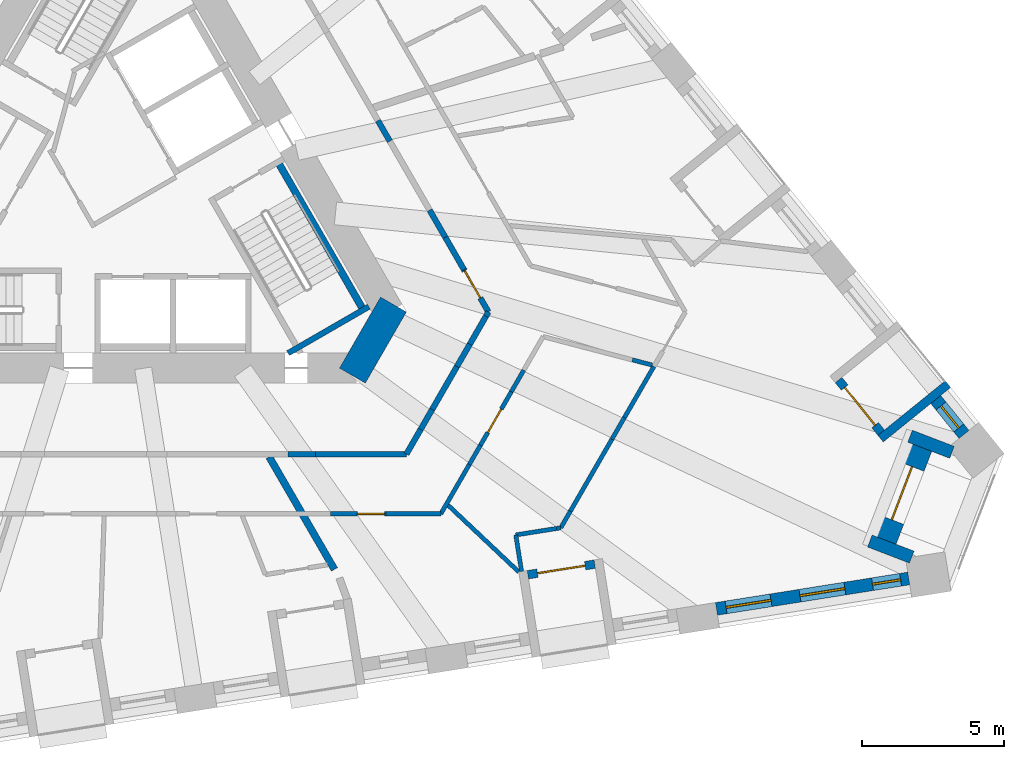
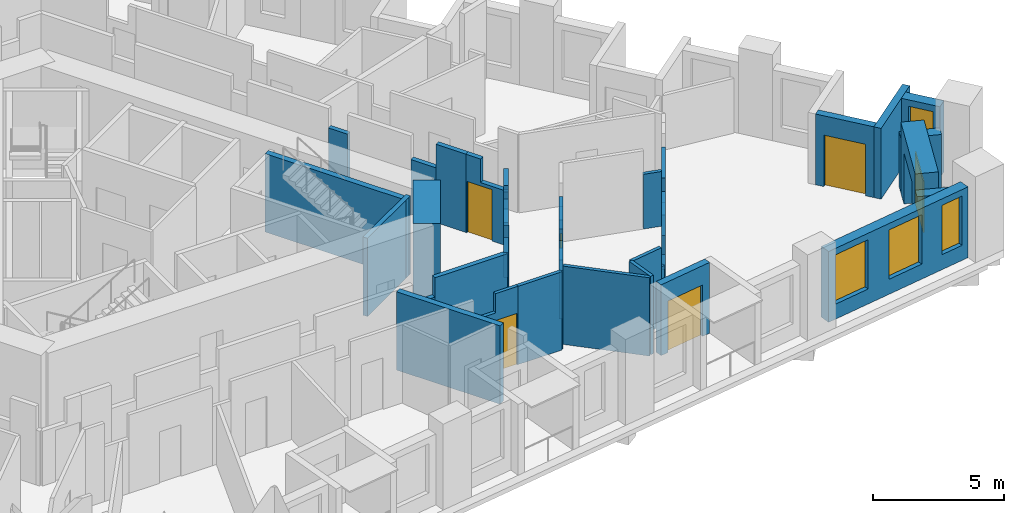
# One storey, part 6 of 14: 39 walls, 6 doors, 4 windows, 10 openings.
"""IFC4 building model written with IfcOpenShell, lengths in metres."""

from ifc_helpers import new_model, si_unit, direction, frame, frame_2d, origin, place, context, subcontext, project, spatial, polyline, rectangle, outline, extrude, material, layer, layer_set, type_object, element, fill, save


model = new_model("IFC4")

# Units and contexts
model_context = context("Model", 3, precision=1e-05, world=origin(), true_north=direction((0.0, 1.0)))
body_context = subcontext(model_context, "Body", "Model", "MODEL_VIEW")
ifc_project = project(units=[si_unit("LENGTHUNIT", "METRE"), si_unit("AREAUNIT", "SQUARE_METRE"), si_unit("VOLUMEUNIT", "CUBIC_METRE"), si_unit("PLANEANGLEUNIT", "RADIAN"), si_unit("MASSUNIT", "GRAM", prefix="KILO")], contexts=[model_context])

# Site, building, storey
site_placement = place(None, origin())
site = spatial("IfcSite", under=ifc_project, at=site_placement, CompositionType="ELEMENT")
building_placement = place(site_placement, origin())
building = spatial("IfcBuilding", under=site, at=building_placement, Name="Tramontana Tower", CompositionType="ELEMENT")
storey_placement = place(building_placement, frame((0.0, 0.0, 75.199951171875)))
storey = spatial("IfcBuildingStorey", under=building, at=storey_placement, Name="L16", CompositionType="ELEMENT", Elevation=75.199951171875)

# Walls
ifc_material_1 = material(Name="Concrete 70 MPa", Category="concrete")
ifc_layer_1 = layer(ifc_material_1, 1.050048828125)
ifc_layer_set_1 = layer_set([ifc_layer_1], Name="Core wall 1050 70 MPa")
wall_type_1 = type_object("IfcWallType", Name="Core wall 1050 70 MPa", PredefinedType="SHEAR", material=ifc_layer_set_1)
wall_1_placement = place(storey_placement, frame((8.349853515625, -6.487548828125, 0.0), z_axis=(0.0, 0.0, 1.0), x_axis=(0.499995765644, 0.866027848477, 0.0)))
element("IfcWall", 1, at=wall_1_placement, inside=storey, type_object=wall_type_1, Name="Core wall C4 L16", PredefinedType="SHEAR", context=body_context, shape_type="SweptSolid", body=[
    extrude(rectangle(XDim=2.88671875, YDim=1.050048828125, at=frame_2d((1.443359375, 0.0))), origin(), (0.0, 0.0, 1.0), 4.0),
])
ifc_material_2 = material(Name="Blockwork", Category="masonry")
ifc_layer_2 = layer(ifc_material_2, 0.199951171875)
ifc_layer_set_2 = layer_set([ifc_layer_2], Name="ENTRY WALL 200")
wall_type_2 = type_object("IfcWallType", Name="ENTRY WALL 200", PredefinedType="SOLIDWALL", material=ifc_layer_set_2)
wall_2_placement = place(storey_placement, frame((9.248046875, 2.48193359375, 0.0), z_axis=(0.0, 0.0, 1.0), x_axis=(0.500117447933, -0.865957584569, 0.0)))
element("IfcWall", 2, at=wall_2_placement, inside=storey, type_object=wall_type_2, Name="Wall v12-ew0-5", PredefinedType="SOLIDWALL", context=body_context, shape_type="SweptSolid", body=[
    extrude(rectangle(XDim=0.838134765625, YDim=0.199951171875, at=frame_2d((0.4189453125, 0.0))), origin(), (0.0, 0.0, 1.0), 2.75),
])
wall_3_placement = place(storey_placement, frame((11.06396484375, -0.663330078125, 0.0), z_axis=(0.0, 0.0, 1.0), x_axis=(0.499951133605, -0.866053614973, 0.0)))
element("IfcWall", 3, at=wall_3_placement, inside=storey, type_object=wall_type_2, Name="Wall v12-ew0-7", PredefinedType="SOLIDWALL", context=body_context, shape_type="SweptSolid", body=[
    extrude(rectangle(XDim=1.10888671875, YDim=0.199951171875, at=frame_2d((0.554443359375, 0.0))), origin(), (0.0, 0.0, 1.0), 2.550048828125),
])
wall_4_placement = place(storey_placement, frame((11.618408203125, -1.623779296875, 0.0), z_axis=(0.0, 0.0, 1.0), x_axis=(0.500060622324, -0.86599040064, 0.0)))
element("IfcWall", 4, at=wall_4_placement, inside=storey, type_object=wall_type_2, Name="Wall v12-ew0-8", PredefinedType="SOLIDWALL", context=body_context, shape_type="SweptSolid", body=[
    extrude(rectangle(XDim=1.312255859375, YDim=0.199951171875, at=frame_2d((0.65625, 0.0))), origin(), (0.0, 0.0, 1.0), 3.650146484375),
])

# Wall, opening, door
wall_5_placement = place(storey_placement, frame((12.274658203125, -2.76025390625, 0.0), z_axis=(0.0, 0.0, 1.0), x_axis=(0.500000921525, -0.866024871741, 0.0)))
wall_5 = element("IfcWall", 5, at=wall_5_placement, inside=storey, type_object=wall_type_2, Name="Wall v12-ew0-9", PredefinedType="SOLIDWALL", context=body_context, shape_type="SweptSolid", body=[
    extrude(outline(polyline([(0.0, 0.0), (1.72021484375, 0.0), (1.72021484375, 2.550048828125), (0.64990234375, 2.550048828125), (0.64990234375, 3.650146484375), (0.0, 3.650146484375), (0.0, 0.0)])), frame((0.0, 0.10009765625, 0.0), z_axis=(0.0, -1.0, 0.0), x_axis=(1.0, 0.0, 0.0)), (0.0, 0.0, 1.0), 0.199951171875),
])
opening_1_placement = place(wall_5_placement, frame((0.050048828125, 0.0, 0.0)))
opening_1 = element("IfcOpeningElement", 6, at=opening_1_placement, cuts=wall_5, Name="Opening B1C-26", PredefinedType="OPENING", context=body_context, shape_type="SweptSolid", body=[
    extrude(rectangle(XDim=1.10009765625, YDim=2.39990234375, at=frame_2d((0.550048828125, 1.199951171875))), frame((0.0, 0.10986328125, 0.0), z_axis=(0.0, -1.0, 0.0), x_axis=(1.0, 0.0, 0.0)), (0.0, 0.0, 1.0), 0.219970703125),
])
ifc_material_3 = material(Name="Painted timber", Category="wood")
door_type_1 = type_object("IfcDoorType", Name="DOOR ENTRY 1100", OperationType="SINGLE_SWING_LEFT", PredefinedType="DOOR", material=ifc_material_3)
door_1_placement = place(opening_1_placement, origin())
door_1 = element("IfcDoor", 7, at=door_1_placement, inside=storey, type_object=door_type_1, Name="Door B1C-26", OperationType="SINGLE_SWING_RIGHT", OverallHeight=2.39990234375, OverallWidth=1.10009765625, PredefinedType="DOOR", context=body_context, shape_type="SweptSolid", body=[
    extrude(rectangle(XDim=1.10009765625, YDim=2.39990234375, at=frame_2d((0.550048828125, 1.199951171875))), frame((0.0, 0.02490234375, 0.0), z_axis=(0.0, -1.0, 0.0), x_axis=(1.0, 0.0, 0.0)), (0.0, 0.0, 1.0), 0.050048828125),
])
fill(opening_1, door_1)

# Walls
wall_6_placement = place(storey_placement, frame((13.134765625, -4.25, 0.0), z_axis=(0.0, 0.0, 1.0), x_axis=(-0.500586455622, -0.865686548612, 0.0)))
element("IfcWall", 8, at=wall_6_placement, inside=storey, type_object=wall_type_2, Name="Wall v12-ew1-0", PredefinedType="SOLIDWALL", context=body_context, shape_type="SweptSolid", body=[
    extrude(rectangle(XDim=0.171142578125, YDim=0.199951171875, at=frame_2d((0.08544921875, 0.0))), origin(), (0.0, 0.0, 1.0), 2.550048828125),
])
wall_7_placement = place(storey_placement, frame((13.049072265625, -4.398193359375, 0.0), z_axis=(0.0, 0.0, 1.0), x_axis=(-0.499889102667, -0.866089420923, 0.0)))
element("IfcWall", 9, at=wall_7_placement, inside=storey, type_object=wall_type_2, Name="Wall v12-ew1-1", PredefinedType="SOLIDWALL", context=body_context, shape_type="SweptSolid", body=[
    extrude(rectangle(XDim=1.141357421875, YDim=0.199951171875, at=frame_2d((0.57080078125, 0.0))), origin(), (0.0, 0.0, 1.0), 3.650146484375),
])
wall_8_placement = place(storey_placement, frame((12.478515625, -5.38671875, 0.0), z_axis=(0.0, 0.0, 1.0), x_axis=(-0.500151474942, -0.865937932021, 0.0)))
element("IfcWall", 10, at=wall_8_placement, inside=storey, type_object=wall_type_2, Name="Wall v12-ew1-2", PredefinedType="SOLIDWALL", context=body_context, shape_type="SweptSolid", body=[
    extrude(rectangle(XDim=0.903076171875, YDim=0.199951171875, at=frame_2d((0.45166015625, 0.0))), origin(), (0.0, 0.0, 1.0), 2.550048828125),
])
wall_9_placement = place(storey_placement, frame((12.02685546875, -6.168701171875, 0.0), z_axis=(0.0, 0.0, 1.0), x_axis=(-0.499900037626, -0.866083109396, 0.0)))
element("IfcWall", 11, at=wall_9_placement, inside=storey, type_object=wall_type_2, Name="Wall v12-ew1-3", PredefinedType="SOLIDWALL", context=body_context, shape_type="SweptSolid", body=[
    extrude(rectangle(XDim=1.745361328125, YDim=0.199951171875, at=frame_2d((0.87255859375, 0.0))), origin(), (0.0, 0.0, 1.0), 3.650146484375),
])
wall_10_placement = place(storey_placement, frame((11.154296875, -7.680419921875, 0.0), z_axis=(0.0, 0.0, 1.0), x_axis=(-0.500151261923, -0.865938055058, 0.0)))
element("IfcWall", 12, at=wall_10_placement, inside=storey, type_object=wall_type_2, Name="Wall v12-ew1-4", PredefinedType="SOLIDWALL", context=body_context, shape_type="SweptSolid", body=[
    extrude(rectangle(XDim=0.804931640625, YDim=0.199951171875, at=frame_2d((0.40234375, 0.0))), origin(), (0.0, 0.0, 1.0), 2.75),
])
wall_11_placement = place(storey_placement, frame((10.751708984375, -8.37744140625, 0.0), z_axis=(0.0, 0.0, 1.0), x_axis=(-0.499918237861, -0.866072604031, 0.0)))
element("IfcWall", 13, at=wall_11_placement, inside=storey, type_object=wall_type_2, Name="Wall v12-ew1-5", PredefinedType="SOLIDWALL", context=body_context, shape_type="SweptSolid", body=[
    extrude(rectangle(XDim=1.007568359375, YDim=0.199951171875, at=frame_2d((0.50390625, 0.0))), origin(), (0.0, 0.0, 1.0), 3.650146484375),
])
wall_12_placement = place(storey_placement, frame((10.248046875, -9.25, 0.0), z_axis=(0.0, 0.0, 1.0), x_axis=(-1.0, 0.0, 0.0)))
element("IfcWall", 14, at=wall_12_placement, inside=storey, type_object=wall_type_2, Name="Wall v12-ew2-0", PredefinedType="SOLIDWALL", context=body_context, shape_type="SweptSolid", body=[
    extrude(rectangle(XDim=3.190673828125, YDim=0.199951171875, at=frame_2d((1.59521484375, 0.0))), origin(), (0.0, 0.0, 1.0), 3.650146484375),
])
wall_13_placement = place(storey_placement, frame((7.057373046875, -9.25, 0.0), z_axis=(0.0, 0.0, 1.0), x_axis=(-1.0, 0.0, 0.0)))
element("IfcWall", 15, at=wall_13_placement, inside=storey, type_object=wall_type_2, Name="Wall v12-ew2-1", PredefinedType="SOLIDWALL", context=body_context, shape_type="SweptSolid", body=[
    extrude(rectangle(XDim=0.981201171875, YDim=0.199951171875, at=frame_2d((0.49072265625, 0.0))), origin(), (0.0, 0.0, 1.0), 2.75),
])

# Wall, openings, windows
ifc_material_4 = material(Name="Precast concrete 60 MPa", Category="concrete")
ifc_layer_3 = layer(ifc_material_4, 0.449951171875)
ifc_layer_set_3 = layer_set([ifc_layer_3], Name="Precast concrete 60 MPa, 450 mm")
wall_type_3 = type_object("IfcWallType", Name="EW1 Stone-faced precast wall 450", PredefinedType="SOLIDWALL", material=ifc_layer_set_3)
wall_14_placement = place(storey_placement, frame((21.1572265625, -14.6962890625, 0.0), z_axis=(0.0, 0.0, 1.0), x_axis=(0.987685675151, 0.156451293065, 0.0)))
wall_14 = element("IfcWall", 16, at=wall_14_placement, inside=storey, type_object=wall_type_3, Name="External wall L16 face 1 bay 6", PredefinedType="SOLIDWALL", context=body_context, shape_type="SweptSolid", body=[
    extrude(rectangle(XDim=6.848876953125, YDim=0.449951171875, at=frame_2d((3.42431640625, 0.0))), origin(), (0.0, 0.0, 1.0), 3.300048828125),
])
opening_2_placement = place(wall_14_placement, frame((0.341552734375, 0.0, 0.699951171875)))
opening_2 = element("IfcOpeningElement", 17, at=opening_2_placement, cuts=wall_14, Name="Opening M1", PredefinedType="OPENING", context=body_context, shape_type="SweptSolid", body=[
    extrude(rectangle(XDim=1.60009765625, YDim=2.300048828125, at=frame_2d((0.800048828125, 1.14990234375))), frame((0.0, 0.23486328125, 0.0), z_axis=(0.0, -1.0, 0.0), x_axis=(1.0, 0.0, 0.0)), (0.0, 0.0, 1.0), 0.469970703125),
])
opening_3_placement = place(wall_14_placement, frame((2.974365234375, 0.0, 0.699951171875)))
opening_3 = element("IfcOpeningElement", 18, at=opening_3_placement, cuts=wall_14, Name="Opening M1", PredefinedType="OPENING", context=body_context, shape_type="SweptSolid", body=[
    extrude(rectangle(XDim=1.60009765625, YDim=2.300048828125, at=frame_2d((0.800048828125, 1.14990234375))), frame((0.0, 0.23486328125, 0.0), z_axis=(0.0, -1.0, 0.0), x_axis=(1.0, 0.0, 0.0)), (0.0, 0.0, 1.0), 0.469970703125),
])
opening_4_placement = place(wall_14_placement, frame((5.557373046875, 0.0, 0.699951171875)))
opening_4 = element("IfcOpeningElement", 19, at=opening_4_placement, cuts=wall_14, Name="Opening N1", PredefinedType="OPENING", context=body_context, shape_type="SweptSolid", body=[
    extrude(rectangle(XDim=1.0, YDim=2.300048828125, at=frame_2d((0.5, 1.14990234375))), frame((0.0, 0.23486328125, 0.0), z_axis=(0.0, -1.0, 0.0), x_axis=(1.0, 0.0, 0.0)), (0.0, 0.0, 1.0), 0.469970703125),
])
ifc_material_5 = material(Name="Aluminum frame, double glazing unit", Category="aluminium")
window_type_1 = type_object("IfcWindowType", Name="M1 Window 1.6 x 2.3", PartitioningType="SINGLE_PANEL", PredefinedType="WINDOW", material=ifc_material_5)
window_1_placement = place(opening_2_placement, origin())
window_1 = element("IfcWindow", 20, at=window_1_placement, inside=storey, type_object=window_type_1, Name="Window M1 L16 face 1 module 16", OverallHeight=2.300048828125, OverallWidth=1.60009765625, PartitioningType="SINGLE_PANEL", PredefinedType="WINDOW", context=body_context, shape_type="SweptSolid", body=[
    extrude(rectangle(XDim=1.60009765625, YDim=2.300048828125, at=frame_2d((0.800048828125, 1.14990234375))), frame((0.0, 0.030029296875, 0.0), z_axis=(0.0, -1.0, 0.0), x_axis=(1.0, 0.0, 0.0)), (0.0, 0.0, 1.0), 0.06005859375),
])
fill(opening_2, window_1)
window_2_placement = place(opening_3_placement, origin())
window_2 = element("IfcWindow", 21, at=window_2_placement, inside=storey, type_object=window_type_1, Name="Window M1 L16 face 1 module 17", OverallHeight=2.300048828125, OverallWidth=1.60009765625, PartitioningType="SINGLE_PANEL", PredefinedType="WINDOW", context=body_context, shape_type="SweptSolid", body=[
    extrude(rectangle(XDim=1.60009765625, YDim=2.300048828125, at=frame_2d((0.800048828125, 1.14990234375))), frame((0.0, 0.030029296875, 0.0), z_axis=(0.0, -1.0, 0.0), x_axis=(1.0, 0.0, 0.0)), (0.0, 0.0, 1.0), 0.06005859375),
])
fill(opening_3, window_2)
ifc_material_6 = material(Name="Aluminum frame, double glazing unit", Category="aluminium")
window_type_2 = type_object("IfcWindowType", Name="N1 Window 1 x 2.3", PartitioningType="SINGLE_PANEL", PredefinedType="WINDOW", material=ifc_material_6)
window_3_placement = place(opening_4_placement, origin())
window_3 = element("IfcWindow", 22, at=window_3_placement, inside=storey, type_object=window_type_2, Name="Window N1 L16 face 1 module 18", OverallHeight=2.300048828125, OverallWidth=1.0, PartitioningType="SINGLE_PANEL", PredefinedType="WINDOW", context=body_context, shape_type="SweptSolid", body=[
    extrude(rectangle(XDim=1.0, YDim=2.300048828125, at=frame_2d((0.5, 1.14990234375))), frame((0.0, 0.030029296875, 0.0), z_axis=(0.0, -1.0, 0.0), x_axis=(1.0, 0.0, 0.0)), (0.0, 0.0, 1.0), 0.06005859375),
])
fill(opening_4, window_3)

# Wall, opening, window
wall_15_placement = place(storey_placement, frame((29.86669921875, -8.558349609375, 0.0), z_axis=(0.0, 0.0, 1.0), x_axis=(-0.629273652342, 0.77718380739, 0.0)))
wall_15 = element("IfcWall", 23, at=wall_15_placement, inside=storey, type_object=wall_type_3, Name="External wall L16 face 2 bay 1", PredefinedType="SOLIDWALL", context=body_context, shape_type="SweptSolid", body=[
    extrude(rectangle(XDim=1.5830078125, YDim=0.449951171875, at=frame_2d((0.79150390625, 0.0))), origin(), (0.0, 0.0, 1.0), 3.300048828125),
])
opening_5_placement = place(wall_15_placement, frame((0.29150390625, 0.0, 0.699951171875)))
opening_5 = element("IfcOpeningElement", 24, at=opening_5_placement, cuts=wall_15, Name="Opening N1", PredefinedType="OPENING", context=body_context, shape_type="SweptSolid", body=[
    extrude(rectangle(XDim=1.0, YDim=2.300048828125, at=frame_2d((0.5, 1.14990234375))), frame((0.0, 0.23486328125, 0.0), z_axis=(0.0, -1.0, 0.0), x_axis=(1.0, 0.0, 0.0)), (0.0, 0.0, 1.0), 0.469970703125),
])
window_4_placement = place(opening_5_placement, origin())
window_4 = element("IfcWindow", 25, at=window_4_placement, inside=storey, type_object=window_type_2, Name="Window N1 L16 face 2 module 1", OverallHeight=2.300048828125, OverallWidth=1.0, PartitioningType="SINGLE_PANEL", PredefinedType="WINDOW", context=body_context, shape_type="SweptSolid", body=[
    extrude(rectangle(XDim=1.0, YDim=2.300048828125, at=frame_2d((0.5, 1.14990234375))), frame((0.0, 0.030029296875, 0.0), z_axis=(0.0, -1.0, 0.0), x_axis=(1.0, 0.0, 0.0)), (0.0, 0.0, 1.0), 0.06005859375),
])
fill(opening_5, window_4)

# Walls
for number, where, z_axis, x_axis, name in (
    (26, (29.442626953125, -9.1865234375, 0.0), (0.0, 0.0, 1.0), (-0.93358843832, 0.358347077335, 0.0), "Corner loggia side wall L16 K12l"),
    (27, (28.027099609375, -12.8740234375, 0.0), (0.0, 0.0, 1.0), (-0.93358843832, 0.358347077335, 0.0), "Corner loggia side wall L16 K12r"),
):
    element("IfcWall", number, at=place(storey_placement, frame(where, z_axis=z_axis, x_axis=x_axis)), inside=storey, type_object=wall_type_3, Name=name, PredefinedType="SOLIDWALL", context=body_context, shape_type="SweptSolid", body=[
        extrude(rectangle(XDim=1.579345703125, YDim=0.449951171875, at=frame_2d((0.78955078125, 0.0))), origin(), (0.0, 0.0, 1.0), 2.550048828125),
    ])

# Wall, opening, door
ifc_material_7 = material(Name="Precast concrete 60 MPa", Category="concrete")
ifc_layer_4 = layer(ifc_material_7, 0.89990234375)
ifc_layer_set_4 = layer_set([ifc_layer_4], Name="EW2 Stone-faced corner loggia wall 900")
wall_type_4 = type_object("IfcWallType", Name="EW2 Stone-faced corner loggia wall 900", PredefinedType="SOLIDWALL", material=ifc_layer_set_4)
wall_16_placement = place(storey_placement, frame((28.307861328125, -8.991943359375, 0.0), z_axis=(0.0, 0.0, 1.0), x_axis=(-0.35841340332, -0.933562977158, 0.0)))
wall_16 = element("IfcWall", 28, at=wall_16_placement, inside=storey, type_object=wall_type_4, Name="Corner loggia wall L16 K12", PredefinedType="SOLIDWALL", context=body_context, shape_type="SweptSolid", body=[
    extrude(rectangle(XDim=3.499755859375, YDim=0.89990234375, at=frame_2d((1.75, 0.0))), origin(), (0.0, 0.0, 1.0), 3.300048828125),
])
opening_6_placement = place(wall_16_placement, frame((0.75, 0.0, 0.0)))
opening_6 = element("IfcOpeningElement", 29, at=opening_6_placement, cuts=wall_16, Name="Opening BD-12C", PredefinedType="OPENING", context=body_context, shape_type="SweptSolid", body=[
    extrude(rectangle(XDim=2.0, YDim=2.39990234375, at=frame_2d((1.0, 1.199951171875))), frame((0.0, 0.4599609375, 0.0), z_axis=(0.0, -1.0, 0.0), x_axis=(1.0, 0.0, 0.0)), (0.0, 0.0, 1.0), 0.919921875),
])
ifc_material_8 = material(Name="Aluminum frame, double glazing unit", Category="aluminium")
door_type_2 = type_object("IfcDoorType", Name="BC1 Sliding door 2 x 2.4", OperationType="SLIDING_TO_LEFT", PredefinedType="DOOR", material=ifc_material_8)
door_2_placement = place(opening_6_placement, origin())
door_2 = element("IfcDoor", 30, at=door_2_placement, inside=storey, type_object=door_type_2, Name="Corner loggia door L16 K12", OperationType="SLIDING_TO_LEFT", OverallHeight=2.39990234375, OverallWidth=2.0, PredefinedType="DOOR", context=body_context, shape_type="SweptSolid", body=[
    extrude(rectangle(XDim=2.0, YDim=2.39990234375, at=frame_2d((1.0, 1.199951171875))), frame((0.0, 0.02490234375, 0.0), z_axis=(0.0, -1.0, 0.0), x_axis=(1.0, 0.0, 0.0)), (0.0, 0.0, 1.0), 0.050048828125),
])
fill(opening_6, door_2)

ifc_material_9 = material(Name="Precast concrete 60 MPa", Category="concrete")
ifc_layer_5 = layer(ifc_material_9, 0.300048828125)
ifc_layer_set_5 = layer_set([ifc_layer_5], Name="LW1 Stone-faced loggia wall 300")
wall_type_5 = type_object("IfcWallType", Name="LW1 Stone-faced loggia wall 300", PredefinedType="SOLIDWALL", material=ifc_layer_set_5)
wall_17_placement = place(storey_placement, frame((14.521728515625, -13.494384765625, 0.0), z_axis=(0.0, 0.0, 1.0), x_axis=(0.987685586014, 0.156451855793, 0.0)))
wall_17 = element("IfcWall", 31, at=wall_17_placement, inside=storey, type_object=wall_type_5, Name="Loggia wall L16 G1S1.13", PredefinedType="SOLIDWALL", context=body_context, shape_type="SweptSolid", body=[
    extrude(rectangle(XDim=2.3828125, YDim=0.300048828125, at=frame_2d((1.19140625, 0.0))), origin(), (0.0, 0.0, 1.0), 3.300048828125),
])
opening_7_placement = place(wall_17_placement, frame((0.341552734375, 0.0, 0.0)))
opening_7 = element("IfcOpeningElement", 32, at=opening_7_placement, cuts=wall_17, Name="Opening BD-1S1-13", PredefinedType="OPENING", context=body_context, shape_type="SweptSolid", body=[
    extrude(rectangle(XDim=1.699951171875, YDim=2.39990234375, at=frame_2d((0.85009765625, 1.199951171875))), frame((0.0, 0.159912109375, 0.0), z_axis=(0.0, -1.0, 0.0), x_axis=(1.0, 0.0, 0.0)), (0.0, 0.0, 1.0), 0.320068359375),
])
ifc_material_10 = material(Name="Aluminum frame, double glazing unit", Category="aluminium")
door_type_3 = type_object("IfcDoorType", Name="BD1 Sliding door 1.7 x 2.4", OperationType="SLIDING_TO_LEFT", PredefinedType="DOOR", material=ifc_material_10)
door_3_placement = place(opening_7_placement, origin())
door_3 = element("IfcDoor", 33, at=door_3_placement, inside=storey, type_object=door_type_3, Name="Loggia door L16 G1S1.13", OperationType="SLIDING_TO_LEFT", OverallHeight=2.39990234375, OverallWidth=1.699951171875, PredefinedType="DOOR", context=body_context, shape_type="SweptSolid", body=[
    extrude(rectangle(XDim=1.699951171875, YDim=2.39990234375, at=frame_2d((0.85009765625, 1.199951171875))), frame((0.0, 0.02490234375, 0.0), z_axis=(0.0, -1.0, 0.0), x_axis=(1.0, 0.0, 0.0)), (0.0, 0.0, 1.0), 0.050048828125),
])
fill(opening_7, door_3)

wall_18_placement = place(storey_placement, frame((26.95263671875, -8.4951171875, 0.0), z_axis=(0.0, 0.0, 1.0), x_axis=(-0.62930727886, 0.777156579316, 0.0)))
wall_18 = element("IfcWall", 34, at=wall_18_placement, inside=storey, type_object=wall_type_5, Name="Loggia wall L16 G1S2.1", PredefinedType="SOLIDWALL", context=body_context, shape_type="SweptSolid", body=[
    extrude(rectangle(XDim=2.3828125, YDim=0.300048828125, at=frame_2d((1.19140625, 0.0))), origin(), (0.0, 0.0, 1.0), 3.300048828125),
])
opening_8_placement = place(wall_18_placement, frame((0.341552734375, 0.0, 0.0)))
opening_8 = element("IfcOpeningElement", 35, at=opening_8_placement, cuts=wall_18, Name="Opening BD-1S2-01", PredefinedType="OPENING", context=body_context, shape_type="SweptSolid", body=[
    extrude(rectangle(XDim=1.699951171875, YDim=2.39990234375, at=frame_2d((0.85009765625, 1.199951171875))), frame((0.0, 0.159912109375, 0.0), z_axis=(0.0, -1.0, 0.0), x_axis=(1.0, 0.0, 0.0)), (0.0, 0.0, 1.0), 0.320068359375),
])
door_4_placement = place(opening_8_placement, origin())
door_4 = element("IfcDoor", 36, at=door_4_placement, inside=storey, type_object=door_type_3, Name="Loggia door L16 G1S2.1", OperationType="SLIDING_TO_LEFT", OverallHeight=2.39990234375, OverallWidth=1.699951171875, PredefinedType="DOOR", context=body_context, shape_type="SweptSolid", body=[
    extrude(rectangle(XDim=1.699951171875, YDim=2.39990234375, at=frame_2d((0.85009765625, 1.199951171875))), frame((0.0, 0.02490234375, 0.0), z_axis=(0.0, -1.0, 0.0), x_axis=(1.0, 0.0, 0.0)), (0.0, 0.0, 1.0), 0.050048828125),
])
fill(opening_8, door_4)

# Walls
wall_19_placement = place(storey_placement, frame((29.30078125, -6.78662109375, 0.0), z_axis=(0.0, 0.0, 1.0), x_axis=(-0.777153523895, -0.629311052102, 0.0)))
element("IfcWall", 37, at=wall_19_placement, inside=storey, type_object=wall_type_5, Name="Loggia return L16 G1S2.1a", PredefinedType="SOLIDWALL", context=body_context, shape_type="SweptSolid", body=[
    extrude(rectangle(XDim=3.050048828125, YDim=0.300048828125, at=frame_2d((1.52490234375, 0.0))), origin(), (0.0, 0.0, 1.0), 3.300048828125),
])
ifc_material_11 = material(Name="Gypsum board partition")
ifc_layer_6 = layer(ifc_material_11, 0.14990234375)
ifc_layer_set_6 = layer_set([ifc_layer_6], Name="PARTITION 150")
wall_type_6 = type_object("IfcWallType", Name="PARTITION 150", PredefinedType="PARTITIONING", material=ifc_layer_set_6)
wall_20_placement = place(storey_placement, frame((11.46044921875, -11.35009765625, 0.0), z_axis=(0.0, 0.0, 1.0), x_axis=(-1.0, 0.0, 0.0)))
element("IfcWall", 38, at=wall_20_placement, inside=storey, type_object=wall_type_6, Name="Wall v12-pw34-0", PredefinedType="PARTITIONING", context=body_context, shape_type="SweptSolid", body=[
    extrude(rectangle(XDim=1.9345703125, YDim=0.14990234375, at=frame_2d((0.96728515625, 0.0))), origin(), (0.0, 0.0, 1.0), 3.650146484375),
])

# Wall, opening, door
wall_21_placement = place(storey_placement, frame((9.52587890625, -11.35009765625, 0.0), z_axis=(0.0, 0.0, 1.0), x_axis=(-1.0, 0.0, 0.0)))
wall_21 = element("IfcWall", 39, at=wall_21_placement, inside=storey, type_object=wall_type_6, Name="Wall v12-pw34-1", PredefinedType="PARTITIONING", context=body_context, shape_type="SweptSolid", body=[
    extrude(outline(polyline([(0.0, 0.0), (1.943603515625, 0.0), (1.943603515625, 2.75), (0.9931640625, 2.75), (0.9931640625, 3.650146484375), (0.0, 3.650146484375), (0.0, 0.0)])), frame((0.0, 0.074951171875, 0.0), z_axis=(0.0, -1.0, 0.0), x_axis=(1.0, 0.0, 0.0)), (0.0, 0.0, 1.0), 0.14990234375),
])
opening_9_placement = place(wall_21_placement, frame((0.050048828125, 0.0, 0.0)))
opening_9 = element("IfcOpeningElement", 40, at=opening_9_placement, cuts=wall_21, Name="Opening B1C-21", PredefinedType="OPENING", context=body_context, shape_type="SweptSolid", body=[
    extrude(rectangle(XDim=0.949951171875, YDim=2.39990234375, at=frame_2d((0.47509765625, 1.199951171875))), frame((0.0, 0.0849609375, 0.0), z_axis=(0.0, -1.0, 0.0), x_axis=(1.0, 0.0, 0.0)), (0.0, 0.0, 1.0), 0.169921875),
])
ifc_material_12 = material(Name="Painted timber", Category="wood")
door_type_4 = type_object("IfcDoorType", Name="DOOR ROOM 950", OperationType="SINGLE_SWING_LEFT", PredefinedType="DOOR", material=ifc_material_12)
door_5_placement = place(opening_9_placement, origin())
door_5 = element("IfcDoor", 41, at=door_5_placement, inside=storey, type_object=door_type_4, Name="Door B1C-21", OperationType="SINGLE_SWING_LEFT", OverallHeight=2.39990234375, OverallWidth=0.949951171875, PredefinedType="DOOR", context=body_context, shape_type="SweptSolid", body=[
    extrude(rectangle(XDim=0.949951171875, YDim=2.39990234375, at=frame_2d((0.47509765625, 1.199951171875))), frame((0.0, 0.02490234375, 0.0), z_axis=(0.0, -1.0, 0.0), x_axis=(1.0, 0.0, 0.0)), (0.0, 0.0, 1.0), 0.050048828125),
])
fill(opening_9, door_5)

# Walls
wall_22_placement = place(storey_placement, frame((14.097412109375, -12.095458984375, 0.0), z_axis=(0.0, 0.0, 1.0), x_axis=(0.156493787951, -0.987678942943, 0.0)))
element("IfcWall", 42, at=wall_22_placement, inside=storey, type_object=wall_type_6, Name="Wall v12-pw37", PredefinedType="PARTITIONING", context=body_context, shape_type="SweptSolid", body=[
    extrude(rectangle(XDim=1.298095703125, YDim=0.14990234375, at=frame_2d((0.64892578125, 0.0))), origin(), (0.0, 0.0, 1.0), 3.650146484375),
])
wall_23_placement = place(storey_placement, frame((14.201904296875, -13.393310546875, 0.0), z_axis=(0.0, 0.0, 1.0), x_axis=(-0.727479213271, 0.68612972116, 0.0)))
element("IfcWall", 43, at=wall_23_placement, inside=storey, type_object=wall_type_6, Name="Wall v12-pw38", PredefinedType="PARTITIONING", context=body_context, shape_type="SweptSolid", body=[
    extrude(rectangle(XDim=3.41259765625, YDim=0.14990234375, at=frame_2d((1.706298828125, 0.0))), origin(), (0.0, 0.0, 1.0), 3.650146484375),
])
wall_24_placement = place(storey_placement, frame((14.378173828125, -6.296142578125, 0.0), z_axis=(0.0, 0.0, 1.0), x_axis=(-0.49990697594, -0.86607910459, 0.0)))
element("IfcWall", 44, at=wall_24_placement, inside=storey, type_object=wall_type_6, Name="Wall v12-pw42-1", PredefinedType="PARTITIONING", context=body_context, shape_type="SweptSolid", body=[
    extrude(rectangle(XDim=0.878173828125, YDim=0.14990234375, at=frame_2d((0.43896484375, 0.0))), origin(), (0.0, 0.0, 1.0), 2.550048828125),
])

# Wall, opening, door
wall_25_placement = place(storey_placement, frame((13.939208984375, -7.056640625, 0.0), z_axis=(0.0, 0.0, 1.0), x_axis=(-0.499978335414, -0.866037911478, 0.0)))
wall_25 = element("IfcWall", 45, at=wall_25_placement, inside=storey, type_object=wall_type_6, Name="Wall v12-pw42-2", PredefinedType="PARTITIONING", context=body_context, shape_type="SweptSolid", body=[
    extrude(rectangle(XDim=2.1748046875, YDim=0.14990234375, at=frame_2d((1.08740234375, 0.0))), origin(), (0.0, 0.0, 1.0), 3.650146484375),
])
opening_10_placement = place(wall_25_placement, frame((0.700927734375, 0.0, 0.0)))
opening_10 = element("IfcOpeningElement", 46, at=opening_10_placement, cuts=wall_25, Name="Opening B1C-18", PredefinedType="OPENING", context=body_context, shape_type="SweptSolid", body=[
    extrude(rectangle(XDim=0.949951171875, YDim=2.39990234375, at=frame_2d((0.47509765625, 1.199951171875))), frame((0.0, 0.0849609375, 0.0), z_axis=(0.0, -1.0, 0.0), x_axis=(1.0, 0.0, 0.0)), (0.0, 0.0, 1.0), 0.169921875),
])
door_6_placement = place(opening_10_placement, origin())
door_6 = element("IfcDoor", 47, at=door_6_placement, inside=storey, type_object=door_type_4, Name="Door B1C-18", OperationType="SINGLE_SWING_RIGHT", OverallHeight=2.39990234375, OverallWidth=0.949951171875, PredefinedType="DOOR", context=body_context, shape_type="SweptSolid", body=[
    extrude(rectangle(XDim=0.949951171875, YDim=2.39990234375, at=frame_2d((0.47509765625, 1.199951171875))), frame((0.0, 0.02490234375, 0.0), z_axis=(0.0, -1.0, 0.0), x_axis=(1.0, 0.0, 0.0)), (0.0, 0.0, 1.0), 0.050048828125),
])
fill(opening_10, door_6)

# Walls
wall_26_placement = place(storey_placement, frame((12.851806640625, -8.940185546875, 0.0), z_axis=(0.0, 0.0, 1.0), x_axis=(-0.500011542666, -0.866018739521, 0.0)))
element("IfcWall", 48, at=wall_26_placement, inside=storey, type_object=wall_type_6, Name="Wall v12-pw42-3", PredefinedType="PARTITIONING", context=body_context, shape_type="SweptSolid", body=[
    extrude(rectangle(XDim=0.77978515625, YDim=0.14990234375, at=frame_2d((0.389892578125, 0.0))), origin(), (0.0, 0.0, 1.0), 2.75),
])
wall_27_placement = place(storey_placement, frame((12.4619140625, -9.615478515625, 0.0), z_axis=(0.0, 0.0, 1.0), x_axis=(-0.499993265928, -0.866029291668, 0.0)))
element("IfcWall", 49, at=wall_27_placement, inside=storey, type_object=wall_type_6, Name="Wall v12-pw42-4", PredefinedType="PARTITIONING", context=body_context, shape_type="SweptSolid", body=[
    extrude(rectangle(XDim=2.0029296875, YDim=0.14990234375, at=frame_2d((1.00146484375, 0.0))), origin(), (0.0, 0.0, 1.0), 3.650146484375),
])
wall_28_placement = place(storey_placement, frame((15.67919921875, -11.8427734375, 0.0), z_axis=(0.0, 0.0, 1.0), x_axis=(-0.987522391443, -0.157478653785, 0.0)))
element("IfcWall", 50, at=wall_28_placement, inside=storey, type_object=wall_type_6, Name="Wall v12-pw43-0", PredefinedType="PARTITIONING", context=body_context, shape_type="SweptSolid", body=[
    extrude(rectangle(XDim=0.14892578125, YDim=0.14990234375, at=frame_2d((0.074462890625, 0.0))), origin(), (0.0, 0.0, 1.0), 2.75),
])
wall_29_placement = place(storey_placement, frame((15.5322265625, -11.8662109375, 0.0), z_axis=(0.0, 0.0, 1.0), x_axis=(-0.987706965543, -0.156316826404, 0.0)))
element("IfcWall", 51, at=wall_29_placement, inside=storey, type_object=wall_type_6, Name="Wall v12-pw43-1", PredefinedType="PARTITIONING", context=body_context, shape_type="SweptSolid", body=[
    extrude(rectangle(XDim=1.450927734375, YDim=0.14990234375, at=frame_2d((0.7255859375, 0.0))), origin(), (0.0, 0.0, 1.0), 3.650146484375),
])
wall_30_placement = place(storey_placement, frame((18.89794921875, -6.11767578125, 0.0), z_axis=(0.0, 0.0, 1.0), x_axis=(-0.967620841463, 0.252408215331, 0.0)))
element("IfcWall", 52, at=wall_30_placement, inside=storey, type_object=wall_type_6, Name="Wall v12-pw48-0", PredefinedType="PARTITIONING", context=body_context, shape_type="SweptSolid", body=[
    extrude(rectangle(XDim=0.726318359375, YDim=0.14990234375, at=frame_2d((0.36328125, 0.0))), origin(), (0.0, 0.0, 1.0), 2.550048828125),
])
wall_31_placement = place(storey_placement, frame((18.957763671875, -6.1640625, 0.0), z_axis=(0.0, 0.0, 1.0), x_axis=(-0.499939227269, -0.866060488094, 0.0)))
element("IfcWall", 53, at=wall_31_placement, inside=storey, type_object=wall_type_6, Name="Wall v12-pw50-2", PredefinedType="PARTITIONING", context=body_context, shape_type="SweptSolid", body=[
    extrude(rectangle(XDim=2.079833984375, YDim=0.14990234375, at=frame_2d((1.0400390625, 0.0))), origin(), (0.0, 0.0, 1.0), 3.650146484375),
])
wall_32_placement = place(storey_placement, frame((17.91796875, -7.96533203125, 0.0), z_axis=(0.0, 0.0, 1.0), x_axis=(-0.500115484592, -0.865958718457, 0.0)))
element("IfcWall", 54, at=wall_32_placement, inside=storey, type_object=wall_type_6, Name="Wall v12-pw50-3", PredefinedType="PARTITIONING", context=body_context, shape_type="SweptSolid", body=[
    extrude(rectangle(XDim=0.878173828125, YDim=0.14990234375, at=frame_2d((0.43896484375, 0.0))), origin(), (0.0, 0.0, 1.0), 2.550048828125),
])
wall_33_placement = place(storey_placement, frame((17.478759765625, -8.725830078125, 0.0), z_axis=(0.0, 0.0, 1.0), x_axis=(-0.499980071345, -0.866036909293, 0.0)))
element("IfcWall", 55, at=wall_33_placement, inside=storey, type_object=wall_type_6, Name="Wall v12-pw50-4", PredefinedType="PARTITIONING", context=body_context, shape_type="SweptSolid", body=[
    extrude(rectangle(XDim=2.92578125, YDim=0.14990234375, at=frame_2d((1.462890625, 0.0))), origin(), (0.0, 0.0, 1.0), 3.650146484375),
])
wall_34_placement = place(storey_placement, frame((16.015869140625, -11.259765625, 0.0), z_axis=(0.0, 0.0, 1.0), x_axis=(-0.500078207394, -0.865980246016, 0.0)))
element("IfcWall", 56, at=wall_34_placement, inside=storey, type_object=wall_type_6, Name="Wall v12-pw50-5", PredefinedType="PARTITIONING", context=body_context, shape_type="SweptSolid", body=[
    extrude(rectangle(XDim=0.67333984375, YDim=0.14990234375, at=frame_2d((0.336669921875, 0.0))), origin(), (0.0, 0.0, 1.0), 2.75),
])
ifc_material_13 = material(Name="Blockwork", Category="masonry")
ifc_layer_7 = layer(ifc_material_13, 0.25)
ifc_layer_set_7 = layer_set([ifc_layer_7], Name="PARTY WALL 250")
wall_type_7 = type_object("IfcWallType", Name="PARTY WALL 250", PredefinedType="SOLIDWALL", material=ifc_layer_set_7)
wall_35_placement = place(storey_placement, frame((5.423095703125, -9.35009765625, 0.0), z_axis=(0.0, 0.0, 1.0), x_axis=(0.501722084107, -0.865028872535, 0.0)))
element("IfcWall", 57, at=wall_35_placement, inside=storey, type_object=wall_type_7, Name="Wall v12-pw29", PredefinedType="SOLIDWALL", context=body_context, shape_type="SweptSolid", body=[
    extrude(rectangle(XDim=4.573486328125, YDim=0.25, at=frame_2d((2.28662109375, 0.0))), origin(), (0.0, 0.0, 1.0), 3.650146484375),
])
ifc_material_14 = material(Name="Concrete 70 MPa", Category="concrete")
ifc_layer_8 = layer(ifc_material_14, 0.25)
ifc_layer_set_8 = layer_set([ifc_layer_8], Name="Concrete 70 MPa, 250 mm")
wall_type_8 = type_object("IfcWallType", Name="RC SHAFT BACK WALL 250", PredefinedType="SOLIDWALL", material=ifc_layer_set_8)
wall_36_placement = place(storey_placement, frame((8.781494140625, -4.260009765625, 0.0), z_axis=(0.0, 0.0, 1.0), x_axis=(-0.500009909098, 0.866019682689, 0.0)))
element("IfcWall", 58, at=wall_36_placement, inside=storey, type_object=wall_type_8, Name="Wall st3-back", PredefinedType="SOLIDWALL", context=body_context, shape_type="SweptSolid", body=[
    extrude(rectangle(XDim=6.199951171875, YDim=0.25, at=frame_2d((3.10009765625, 0.0))), origin(), (0.0, 0.0, 1.0), 3.650146484375),
])
ifc_material_15 = material(Name="Concrete 70 MPa", Category="concrete")
ifc_layer_9 = layer(ifc_material_15, 0.199951171875)
ifc_layer_set_9 = layer_set([ifc_layer_9], Name="Concrete 70 MPa, 200 mm")
wall_type_9 = type_object("IfcWallType", Name="RC STAIR AND SHAFT WALL 200", PredefinedType="SOLIDWALL", material=ifc_layer_set_9)
wall_37_placement = place(storey_placement, frame((6.08740234375, -5.699951171875, 0.0), z_axis=(0.0, 0.0, 1.0), x_axis=(0.866006986733, 0.500031897912, 0.0)))
element("IfcWall", 59, at=wall_37_placement, inside=storey, type_object=wall_type_9, Name="Wall st3-far", PredefinedType="SOLIDWALL", context=body_context, shape_type="SweptSolid", body=[
    extrude(rectangle(XDim=3.278076171875, YDim=0.199951171875, at=frame_2d((1.63916015625, 0.0))), origin(), (0.0, 0.0, 1.0), 3.650146484375),
])

save(model, "model.ifc")
